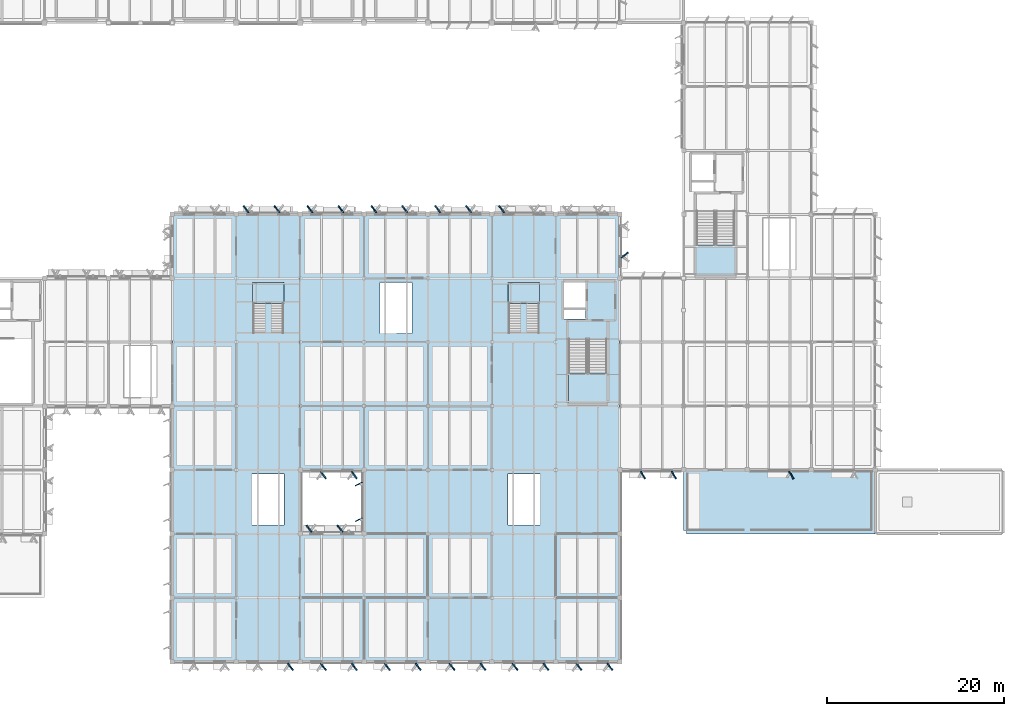
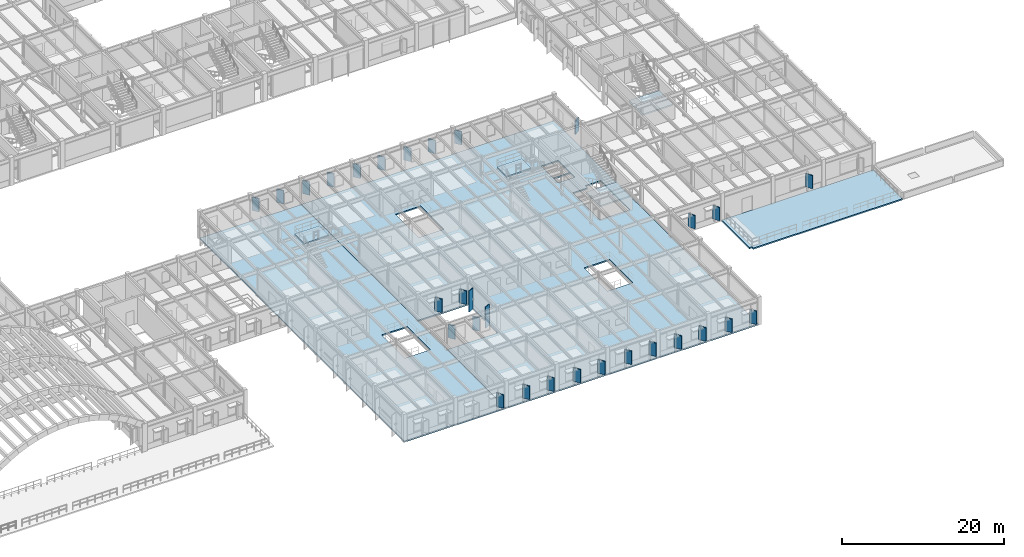
# One storey, part 25 of 85: 30 plates, 7 slabs, 4 elements without a shape of their own.
"""IFC4 building model written with IfcOpenShell, lengths in metres."""

from ifc_helpers import new_model, si_unit, direction, frame, origin, origin_2d, place, context, subcontext, project, spatial, polyline, rectangle, outline, extrude, material, layer, layer_set, type_object, element, aggregate, save


model = new_model("IFC4")

# Units and contexts
model_context = context("Model", 3, precision=1e-05, world=origin(), true_north=direction((0.0, 1.0)))
body_context = subcontext(model_context, "Body", "Model", "MODEL_VIEW")
ifc_project = project(units=[si_unit("LENGTHUNIT", "METRE"), si_unit("AREAUNIT", "SQUARE_METRE"), si_unit("VOLUMEUNIT", "CUBIC_METRE"), si_unit("PLANEANGLEUNIT", "RADIAN"), si_unit("MASSUNIT", "GRAM", prefix="KILO")], contexts=[model_context])

# Site, building, storey
site_placement = place(None, origin())
site = spatial("IfcSite", under=ifc_project, at=site_placement, CompositionType="ELEMENT")
building_placement = place(site_placement, origin())
building = spatial("IfcBuilding", under=site, at=building_placement, Name="Sillqori Civic Hall", CompositionType="ELEMENT")
storey_placement = place(building_placement, frame((0.0, 0.0, 9.89990234375)))
storey = spatial("IfcBuildingStorey", under=building, at=storey_placement, Name="L03", CompositionType="ELEMENT", Elevation=9.89990234375)

# Plates
ifc_material_1 = material(Name="Precast concrete C40/50 (H40)", Category="concrete")
ifc_layer_1 = layer(ifc_material_1, 0.159912109375)
ifc_layer_set_1 = layer_set([ifc_layer_1], Name="Precast concrete C40/50 (H40)")
plate_type_1 = type_object("IfcPlateType", Name="FIN-WEST-350", PredefinedType="USERDEFINED", material=ifc_layer_set_1)
for number, where, z_axis, x_axis, name in (
    (1, (85.81494140625, 23.18994140625, 0.150146484375), (0.0, 0.0, 1.0), (-0.422618261741, 0.906307787037, 0.0), "L03 west brise-soleil fin L03-12-03-W.1"),
    (2, (85.81494140625, 27.2099609375, 0.150146484375), (0.0, 0.0, 1.0), (-0.422618261741, 0.906307787037, 0.0), "L03 west brise-soleil fin L03-12-03-W.2"),
):
    element("IfcPlate", number, at=place(storey_placement, frame(where, z_axis=z_axis, x_axis=x_axis)), inside=storey, type_object=plate_type_1, Name=name, ObjectType="SOLAR_FIN", PredefinedType="USERDEFINED", context=body_context, shape_type="SweptSolid", body=[
        extrude(rectangle(XDim=0.090087890625, YDim=0.8798828125, at=origin_2d()), origin(), (0.0, 0.0, 1.0), 3.18701171875),
    ])
ifc_layer_2 = layer(ifc_material_1, 0.159912109375)
ifc_layer_set_2 = layer_set([ifc_layer_2], Name="Precast concrete C40/50 (H40)")
plate_type_2 = type_object("IfcPlateType", Name="REV-SAW-200", PredefinedType="USERDEFINED", material=ifc_layer_set_2)
for number, where, z_axis, x_axis, name in (
    (3, (78.10205078125, 6.6201171875, 0.800048828125), (0.0, 0.0, 1.0), (-0.809016994375, -0.587785252292, 0.0), "Sawtooth stone window reveal L03-10-01-S.1"),
    (4, (73.097900390625, 58.179931640625, 0.800048828125), (0.0, 0.0, 1.0), (0.809016994375, 0.587785252292, 0.0), "Sawtooth stone window reveal L03-10-07-N.1"),
    (5, (76.58203125, 58.179931640625, 0.800048828125), (0.0, 0.0, 1.0), (0.809016994375, 0.587785252292, 0.0), "Sawtooth stone window reveal L03-10-07-N.2"),
    (6, (85.302001953125, 6.6201171875, 0.800048828125), (0.0, 0.0, 1.0), (-0.809016994375, -0.587785252292, 0.0), "Sawtooth stone window reveal L03-11-01-S.1"),
    (7, (81.818115234375, 6.6201171875, 0.800048828125), (0.0, 0.0, 1.0), (-0.809016994375, -0.587785252292, 0.0), "Sawtooth stone window reveal L03-11-01-S.2"),
    (8, (80.197998046875, 22.179931640625, 1.0), (0.0, 0.0, 1.0), (0.809016994375, 0.587785252292, 0.0), "Sawtooth stone window reveal L03-11-02-N.1"),
    (9, (83.681884765625, 22.179931640625, 1.0), (0.0, 0.0, 1.0), (0.809016994375, 0.587785252292, 0.0), "Sawtooth stone window reveal L03-11-02-N.2"),
    (10, (85.302001953125, 28.219970703125, 0.800048828125), (0.0, 0.0, 1.0), (-0.809016994375, -0.587785252292, 0.0), "Sawtooth stone window reveal L03-11-04-S.1"),
    (11, (81.818115234375, 28.219970703125, 0.800048828125), (0.0, 0.0, 1.0), (-0.809016994375, -0.587785252292, 0.0), "Sawtooth stone window reveal L03-11-04-S.2"),
    (12, (80.298095703125, 58.179931640625, 0.800048828125), (0.0, 0.0, 1.0), (0.809016994375, 0.587785252292, 0.0), "Sawtooth stone window reveal L03-11-07-N.1"),
    (13, (83.781982421875, 58.179931640625, 0.800048828125), (0.0, 0.0, 1.0), (0.809016994375, 0.587785252292, 0.0), "Sawtooth stone window reveal L03-11-07-N.2"),
    (14, (92.501953125, 6.6201171875, 0.800048828125), (0.0, 0.0, 1.0), (-0.809016994375, -0.587785252292, 0.0), "Sawtooth stone window reveal L03-12-01-S.1"),
    (15, (89.01806640625, 6.6201171875, 0.800048828125), (0.0, 0.0, 1.0), (-0.809016994375, -0.587785252292, 0.0), "Sawtooth stone window reveal L03-12-01-S.2"),
    (16, (87.498046875, 58.179931640625, 0.800048828125), (0.0, 0.0, 1.0), (0.809016994375, 0.587785252292, 0.0), "Sawtooth stone window reveal L03-12-07-N.1"),
    (17, (90.98193359375, 58.179931640625, 0.800048828125), (0.0, 0.0, 1.0), (0.809016994375, 0.587785252292, 0.0), "Sawtooth stone window reveal L03-12-07-N.2"),
    (18, (99.802001953125, 6.6201171875, 1.0), (0.0, 0.0, 1.0), (-0.809016994375, -0.587785252292, 0.0), "Sawtooth stone window reveal L03-13-01-S.1"),
    (19, (96.318115234375, 6.6201171875, 1.0), (0.0, 0.0, 1.0), (-0.809016994375, -0.587785252292, 0.0), "Sawtooth stone window reveal L03-13-01-S.2"),
    (20, (94.697998046875, 58.179931640625, 0.800048828125), (0.0, 0.0, 1.0), (0.809016994375, 0.587785252292, 0.0), "Sawtooth stone window reveal L03-13-07-N.1"),
    (21, (98.181884765625, 58.179931640625, 0.800048828125), (0.0, 0.0, 1.0), (0.809016994375, 0.587785252292, 0.0), "Sawtooth stone window reveal L03-13-07-N.2"),
    (22, (106.902099609375, 6.6201171875, 0.800048828125), (0.0, 0.0, 1.0), (-0.809016994375, -0.587785252292, 0.0), "Sawtooth stone window reveal L03-14-01-S.1"),
    (23, (103.41796875, 6.6201171875, 0.800048828125), (0.0, 0.0, 1.0), (-0.809016994375, -0.587785252292, 0.0), "Sawtooth stone window reveal L03-14-01-S.2"),
    (24, (101.89794921875, 58.179931640625, 0.800048828125), (0.0, 0.0, 1.0), (0.809016994375, 0.587785252292, 0.0), "Sawtooth stone window reveal L03-14-07-N.1"),
    (25, (114.10205078125, 6.6201171875, 0.800048828125), (0.0, 0.0, 1.0), (-0.809016994375, -0.587785252292, 0.0), "Sawtooth stone window reveal L03-15-01-S.1"),
    (26, (110.617919921875, 6.6201171875, 0.800048828125), (0.0, 0.0, 1.0), (-0.809016994375, -0.587785252292, 0.0), "Sawtooth stone window reveal L03-15-01-S.2"),
    (27, (115.780029296875, 53.01806640625, 0.800048828125), (0.0, 0.0, 1.0), (0.587785252292, -0.809016994375, 0.0), "Sawtooth stone window reveal L03-15-07-E.2"),
    (28, (121.302001953125, 28.22998046875, 0.800048828125), (0.0, 0.0, 1.0), (-0.866025403784, -0.5, 0.0), "Sawtooth stone window reveal L03-16-04-S.1"),
    (29, (117.818115234375, 28.22998046875, 0.800048828125), (0.0, 0.0, 1.0), (-0.866025403784, -0.5, 0.0), "Sawtooth stone window reveal L03-16-04-S.2"),
    (30, (134.534912109375, 28.22998046875, 0.97509765625), (0.0, 0.0, 1.0), (-0.866025403784, -0.5, 0.0), "Sawtooth stone window reveal L03-18-04-S.1"),
):
    element("IfcPlate", number, at=place(storey_placement, frame(where, z_axis=z_axis, x_axis=x_axis)), inside=storey, type_object=plate_type_2, Name=name, ObjectType="REVEAL_PANEL", PredefinedType="USERDEFINED", context=body_context, shape_type="SweptSolid", body=[
        extrude(rectangle(XDim=0.159912109375, YDim=0.97998046875, at=origin_2d()), origin(), (0.0, 0.0, 1.0), 2.0),
    ])

# Slabs
ifc_material_2 = material(Name="Concrete C30/37 (H30)", Category="concrete")
ifc_layer_3 = layer(ifc_material_2, 0.199951171875)
ifc_layer_set_3 = layer_set([ifc_layer_3], Name="Concrete C30/37 (H30)")
slab_type_1 = type_object("IfcSlabType", Name="SLB-FLR-200", PredefinedType="FLOOR", material=ifc_layer_set_3)
slab_1_placement = place(storey_placement, frame((0.0, 0.0, -0.199951171875)))
element("IfcSlab", 31, at=slab_1_placement, inside=storey, type_object=slab_type_1, Name="L03 V2 composite floor slab 1.1", PredefinedType="FLOOR", context=body_context, shape_type="SweptSolid", body=[
    extrude(outline(polyline([(64.800048828125, 21.60009765625), (64.800048828125, 28.800048828125), (64.800048828125, 36.0), (64.800048828125, 43.199951171875), (64.800048828125, 50.39990234375), (64.800048828125, 57.60009765625), (72.0, 57.60009765625), (79.199951171875, 57.60009765625), (79.199951171875, 50.39990234375), (79.199951171875, 43.199951171875), (79.199951171875, 36.0), (79.199951171875, 28.800048828125), (79.199951171875, 21.60009765625), (79.199951171875, 14.39990234375), (79.199951171875, 7.199951171875), (72.0, 7.199951171875), (64.800048828125, 7.199951171875), (64.800048828125, 14.39990234375), (64.800048828125, 21.60009765625)]), holes=[polyline([(77.39990234375, 28.35009765625), (73.800048828125, 28.35009765625), (73.800048828125, 22.60009765625), (77.39990234375, 22.60009765625), (77.39990234375, 28.35009765625)])]), origin(), (0.0, 0.0, 1.0), 0.199951171875),
])
slab_2_placement = place(storey_placement, frame((0.0, 0.0, -0.199951171875)))
element("IfcSlab", 32, at=slab_2_placement, inside=storey, type_object=slab_type_1, Name="L03 V2 composite floor slab 2.1", PredefinedType="FLOOR", context=body_context, shape_type="SweptSolid", body=[
    extrude(outline(polyline([(79.199951171875, 28.800048828125), (79.199951171875, 36.0), (79.199951171875, 43.199951171875), (79.199951171875, 50.39990234375), (79.199951171875, 57.60009765625), (86.39990234375, 57.60009765625), (93.60009765625, 57.60009765625), (100.800048828125, 57.60009765625), (108.0, 57.60009765625), (115.199951171875, 57.60009765625), (115.199951171875, 50.39990234375), (115.199951171875, 43.199951171875), (115.199951171875, 36.0), (115.199951171875, 28.800048828125), (115.199951171875, 21.60009765625), (115.199951171875, 14.39990234375), (115.199951171875, 7.199951171875), (108.0, 7.199951171875), (100.800048828125, 7.199951171875), (93.60009765625, 7.199951171875), (86.39990234375, 7.199951171875), (79.199951171875, 7.199951171875), (79.199951171875, 14.39990234375), (79.199951171875, 21.60009765625), (86.39990234375, 21.60009765625), (86.39990234375, 28.800048828125), (79.199951171875, 28.800048828125)]), holes=[polyline([(106.199951171875, 22.60009765625), (106.199951171875, 28.35009765625), (102.60009765625, 28.35009765625), (102.60009765625, 22.60009765625), (106.199951171875, 22.60009765625)]), polyline([(111.56005859375, 43.02001953125), (109.4599609375, 43.02001953125), (109.4599609375, 36.35009765625), (113.739990234375, 36.35009765625), (113.739990234375, 43.570068359375), (111.56005859375, 43.570068359375), (111.56005859375, 43.02001953125)]), polyline([(111.35009765625, 45.800048828125), (111.35009765625, 46.89990234375), (108.949951171875, 46.89990234375), (108.949951171875, 45.800048828125), (111.35009765625, 45.800048828125)]), polyline([(91.800048828125, 44.199951171875), (91.800048828125, 49.949951171875), (88.199951171875, 49.949951171875), (88.199951171875, 44.199951171875), (91.800048828125, 44.199951171875)]), polyline([(111.35009765625, 47.050048828125), (111.35009765625, 49.949951171875), (108.949951171875, 49.949951171875), (108.949951171875, 47.050048828125), (111.35009765625, 47.050048828125)])]), origin(), (0.0, 0.0, 1.0), 0.199951171875),
])

# Stair, slab
ifc_material_3 = material(Name="Concrete C35/45 (H35)", Category="concrete")
stair_type_1 = type_object("IfcStairType", Name="STR-CORE-02", PredefinedType="DOUBLE_RETURN_STAIR", material=ifc_material_3)
stair_1_placement = place(storey_placement, origin())
stair_1 = element("IfcStair", 33, at=stair_1_placement, inside=storey, type_object=stair_type_1, Name="L03 Core exit stair ST-02", PredefinedType="DOUBLE_RETURN_STAIR")
ifc_layer_4 = layer(ifc_material_3, 0.199951171875)
ifc_layer_set_4 = layer_set([ifc_layer_4], Name="Concrete C35/45 (H35)")
slab_type_2 = type_object("IfcSlabType", Name="SLB-LND-220", PredefinedType="LANDING", material=ifc_layer_set_4)
slab_3_placement = place(storey_placement, frame((0.0, 0.0, 1.900146484375)))
slab_3 = element("IfcSlab", 34, at=slab_3_placement, type_object=slab_type_2, Name="ST-02 landing 1", PredefinedType="LANDING", context=body_context, shape_type="SweptSolid", body=[
    extrude(outline(polyline([(123.824951171875, 54.1298828125), (123.824951171875, 50.715087890625), (128.175048828125, 50.715087890625), (128.175048828125, 54.1298828125), (123.824951171875, 54.1298828125)])), origin(), (0.0, 0.0, 1.0), 0.199951171875),
])
aggregate(stair_1, [slab_3])

stair_type_2 = type_object("IfcStairType", Name="STR-CORE-03", PredefinedType="DOUBLE_RETURN_STAIR", material=ifc_material_3)
stair_2_placement = place(storey_placement, origin())
stair_2 = element("IfcStair", 35, at=stair_2_placement, inside=storey, type_object=stair_type_2, Name="L03 Core exit stair ST-03", PredefinedType="DOUBLE_RETURN_STAIR")
slab_4_placement = place(storey_placement, frame((0.0, 0.0, 1.900146484375)))
slab_4 = element("IfcSlab", 36, at=slab_4_placement, type_object=slab_type_2, Name="ST-03 landing 1", PredefinedType="LANDING", context=body_context, shape_type="SweptSolid", body=[
    extrude(outline(polyline([(109.425048828125, 39.72998046875), (109.425048828125, 36.31494140625), (113.77490234375, 36.31494140625), (113.77490234375, 39.72998046875), (109.425048828125, 39.72998046875)])), origin(), (0.0, 0.0, 1.0), 0.199951171875),
])
aggregate(stair_2, [slab_4])

ifc_material_4 = material(Name="Steel ASTM A992 and Honed Limestone Treads", Category="masonry")
stair_type_3 = type_object("IfcStairType", Name="STR-MON-420", PredefinedType="STRAIGHT_RUN_STAIR", material=ifc_material_4)
stair_3_placement = place(storey_placement, origin())
stair_3 = element("IfcStair", 37, at=stair_3_placement, inside=storey, type_object=stair_type_3, Name="Wedge Atrium Upper West Stair L03-L04", PredefinedType="STRAIGHT_RUN_STAIR")
ifc_layer_5 = layer(ifc_material_3, 0.199951171875)
ifc_layer_set_5 = layer_set([ifc_layer_5], Name="Concrete C35/45 (H35)")
slab_type_3 = type_object("IfcSlabType", Name="SLB-MLND-200", PredefinedType="LANDING", material=ifc_layer_set_5)
slab_5_placement = place(storey_placement, frame((0.0, 0.0, 1.900146484375)))
slab_5 = element("IfcSlab", 38, at=slab_5_placement, type_object=slab_type_3, Name="MS-03 landing 1", PredefinedType="LANDING", context=body_context, shape_type="SweptSolid", body=[
    extrude(outline(polyline([(73.840087890625, 47.56005859375), (77.360107421875, 47.56005859375), (77.360107421875, 49.929931640625), (73.840087890625, 49.929931640625), (73.840087890625, 47.56005859375)])), origin(), (0.0, 0.0, 1.0), 0.199951171875),
])
aggregate(stair_3, [slab_5])

stair_4_placement = place(storey_placement, origin())
stair_4 = element("IfcStair", 39, at=stair_4_placement, inside=storey, type_object=stair_type_3, Name="Wedge Atrium Upper East Stair L03-L04", PredefinedType="STRAIGHT_RUN_STAIR")
slab_6_placement = place(storey_placement, frame((0.0, 0.0, 1.900146484375)))
slab_6 = element("IfcSlab", 40, at=slab_6_placement, type_object=slab_type_3, Name="MS-06 landing 1", PredefinedType="LANDING", context=body_context, shape_type="SweptSolid", body=[
    extrude(outline(polyline([(102.639892578125, 47.56005859375), (106.159912109375, 47.56005859375), (106.159912109375, 49.929931640625), (102.639892578125, 49.929931640625), (102.639892578125, 47.56005859375)])), origin(), (0.0, 0.0, 1.0), 0.199951171875),
])
aggregate(stair_4, [slab_6])

# Slab
ifc_layer_6 = layer(ifc_material_3, 0.199951171875)
ifc_layer_set_6 = layer_set([ifc_layer_6], Name="Concrete C35/45 (H35)")
slab_type_4 = type_object("IfcSlabType", Name="SLB-TER-200", PredefinedType="FLOOR", material=ifc_layer_set_6)
slab_7_placement = place(storey_placement, frame((0.0, 0.0, -0.199951171875)))
element("IfcSlab", 41, at=slab_7_placement, inside=storey, type_object=slab_type_4, Name="Library Courtyard Step Terrace", PredefinedType="FLOOR", context=body_context, shape_type="SweptSolid", body=[
    extrude(outline(polyline([(122.39990234375, 28.800048828125), (144.0, 28.800048828125), (144.0, 21.60009765625), (122.75, 21.60009765625), (122.75, 21.949951171875), (122.39990234375, 21.949951171875), (122.39990234375, 28.800048828125)])), origin(), (0.0, 0.0, 1.0), 0.199951171875),
])

save(model, "model.ifc")
